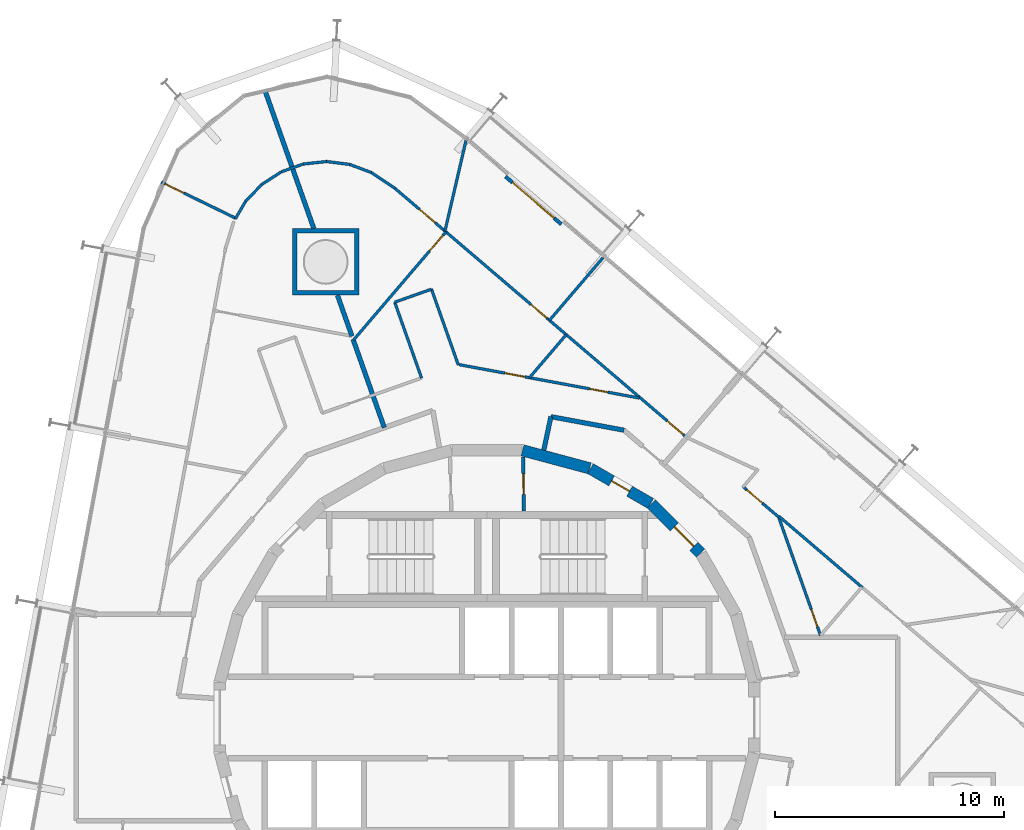
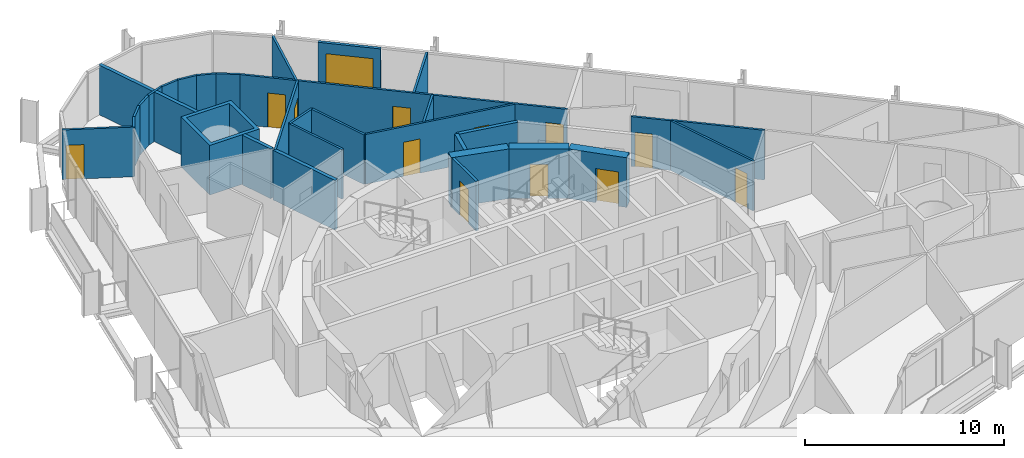
# One storey, part 15 of 17: 32 walls, 13 doors, 13 openings.
"""IFC4 building model written with IfcOpenShell, lengths in metres."""

from ifc_helpers import new_model, si_unit, direction, frame, frame_2d, origin, place, context, subcontext, project, spatial, polyline, rectangle, outline, extrude, material, layer, layer_set, type_object, element, fill, save


model = new_model("IFC4")

# Units and contexts
model_context = context("Model", 3, precision=1e-05, world=origin(), true_north=direction((0.0, 1.0)))
body_context = subcontext(model_context, "Body", "Model", "MODEL_VIEW")
ifc_project = project(units=[si_unit("LENGTHUNIT", "METRE"), si_unit("AREAUNIT", "SQUARE_METRE"), si_unit("VOLUMEUNIT", "CUBIC_METRE"), si_unit("PLANEANGLEUNIT", "RADIAN"), si_unit("MASSUNIT", "GRAM", prefix="KILO")], contexts=[model_context])

# Site, building, storey
site_placement = place(None, origin())
site = spatial("IfcSite", under=ifc_project, at=site_placement, CompositionType="ELEMENT")
building_placement = place(site_placement, origin())
building = spatial("IfcBuilding", under=site, at=building_placement, Name="Spindle Arch Residences", CompositionType="ELEMENT")
storey_placement = place(building_placement, frame((0.0, 0.0, 179.699951171875)))
storey = spatial("IfcBuildingStorey", under=building, at=storey_placement, Name="L45", CompositionType="ELEMENT", Elevation=179.699951171875)

# Wall, opening, door
ifc_material_1 = material(Name="Concrete C50/60", Category="concrete")
ifc_layer_1 = layer(ifc_material_1, 0.5)
ifc_layer_set_1 = layer_set([ifc_layer_1], Name="Core outline wall 500")
wall_type_1 = type_object("IfcWallType", Name="Core outline wall 500", PredefinedType="SHEAR", material=ifc_layer_set_1)
wall_1_placement = place(storey_placement, frame((9.30810546875, 7.163818359375, 0.0), z_axis=(0.0, 0.0, 1.0), x_axis=(-0.707106781187, 0.707106781187, 0.0)))
wall_1 = element("IfcWall", 1, at=wall_1_placement, inside=storey, type_object=wall_type_1, Name="Core outline wall 9", PredefinedType="SHEAR", context=body_context, shape_type="SweptSolid", body=[
    extrude(rectangle(XDim=3.032470703125, YDim=0.5, at=frame_2d((1.51611328125, 0.0))), origin(), (0.0, 0.0, 1.0), 3.050048828125),
])
opening_1_placement = place(wall_1_placement, frame((0.416259765625, 0.0, 0.0)))
opening_1 = element("IfcOpeningElement", 2, at=opening_1_placement, cuts=wall_1, Name="Opening R4C0-AD01", PredefinedType="OPENING", context=body_context, shape_type="SweptSolid", body=[
    extrude(rectangle(XDim=1.199951171875, YDim=2.10009765625, at=frame_2d((0.60009765625, 1.050048828125))), frame((0.0, 0.260009765625, 0.0), z_axis=(0.0, -1.0, 0.0), x_axis=(1.0, 0.0, 0.0)), (0.0, 0.0, 1.0), 0.52001953125),
])
ifc_material_2 = material(Name="Steel, fire-resisting door", Category="steel")
door_type_1 = type_object("IfcDoorType", Name="Stair airlock door 1200x2100", OperationType="SINGLE_SWING_LEFT", PredefinedType="DOOR", material=ifc_material_2)
door_1_placement = place(opening_1_placement, origin())
door_1 = element("IfcDoor", 3, at=door_1_placement, inside=storey, type_object=door_type_1, Name="Stair airlock door R4C0-AD01", OperationType="SINGLE_SWING_RIGHT", OverallHeight=2.10009765625, OverallWidth=1.199951171875, PredefinedType="DOOR", context=body_context, shape_type="SweptSolid", body=[
    extrude(rectangle(XDim=1.199951171875, YDim=2.10009765625, at=frame_2d((0.60009765625, 1.050048828125))), frame((0.0, 0.02490234375, 0.0), z_axis=(0.0, -1.0, 0.0), x_axis=(1.0, 0.0, 0.0)), (0.0, 0.0, 1.0), 0.050048828125),
])
fill(opening_1, door_1)

wall_2_placement = place(storey_placement, frame((7.13671875, 9.32861328125, 0.0), z_axis=(0.0, 0.0, 1.0), x_axis=(-0.865975092491, 0.500087131594, 0.0)))
wall_2 = element("IfcWall", 4, at=wall_2_placement, inside=storey, type_object=wall_type_1, Name="Core outline wall 10", PredefinedType="SHEAR", context=body_context, shape_type="SweptSolid", body=[
    extrude(rectangle(XDim=3.03271484375, YDim=0.5, at=frame_2d((1.516357421875, 0.0))), origin(), (0.0, 0.0, 1.0), 3.050048828125),
])
opening_2_placement = place(wall_2_placement, frame((1.06640625, 0.0, 0.0)))
opening_2 = element("IfcOpeningElement", 5, at=opening_2_placement, cuts=wall_2, Name="Opening R4C0-WD09", PredefinedType="OPENING", context=body_context, shape_type="SweptSolid", body=[
    extrude(rectangle(XDim=0.89990234375, YDim=2.10009765625, at=frame_2d((0.449951171875, 1.050048828125))), frame((0.0, 0.260009765625, 0.0), z_axis=(0.0, -1.0, 0.0), x_axis=(1.0, 0.0, 0.0)), (0.0, 0.0, 1.0), 0.52001953125),
])
ifc_material_3 = material(Name="Steel, fire-resisting door", Category="steel")
door_type_2 = type_object("IfcDoorType", Name="Service room door 900x2100", OperationType="SINGLE_SWING_LEFT", PredefinedType="DOOR", material=ifc_material_3)
door_2_placement = place(opening_2_placement, origin())
door_2 = element("IfcDoor", 6, at=door_2_placement, inside=storey, type_object=door_type_2, Name="Service room door R4C0-WD09", OperationType="SINGLE_SWING_LEFT", OverallHeight=2.10009765625, OverallWidth=0.89990234375, PredefinedType="DOOR", context=body_context, shape_type="SweptSolid", body=[
    extrude(rectangle(XDim=0.89990234375, YDim=2.10009765625, at=frame_2d((0.449951171875, 1.050048828125))), frame((0.0, 0.02490234375, 0.0), z_axis=(0.0, -1.0, 0.0), x_axis=(1.0, 0.0, 0.0)), (0.0, 0.0, 1.0), 0.050048828125),
])
fill(opening_2, door_2)

# Walls
wall_3_placement = place(storey_placement, frame((4.479248046875, 10.858154296875, 0.0), z_axis=(0.0, 0.0, 1.0), x_axis=(-0.965948410781, 0.258734743916, 0.0)))
element("IfcWall", 7, at=wall_3_placement, inside=storey, type_object=wall_type_1, Name="Core outline wall 11", PredefinedType="SHEAR", context=body_context, shape_type="SweptSolid", body=[
    extrude(rectangle(XDim=3.03271484375, YDim=0.5, at=frame_2d((1.516357421875, 0.0))), origin(), (0.0, 0.0, 1.0), 3.050048828125),
])
ifc_material_4 = material(Name="Calcium silicate block, plastered")
ifc_layer_2 = layer(ifc_material_4, 0.199951171875)
ifc_layer_set_2 = layer_set([ifc_layer_2], Name="Corridor wall 200")
wall_type_2 = type_object("IfcWallType", Name="Corridor wall 200", PredefinedType="STANDARD", material=ifc_layer_set_2)
wall_4_placement = place(storey_placement, frame((5.972412109375, 12.521240234375, 0.0), z_axis=(0.0, 0.0, 1.0), x_axis=(-0.983243002308, 0.182299748799, 0.0)))
element("IfcWall", 8, at=wall_4_placement, inside=storey, type_object=wall_type_2, Name="Corridor wall R4C0-W005", PredefinedType="STANDARD", context=body_context, shape_type="SweptSolid", body=[
    extrude(rectangle(XDim=3.239501953125, YDim=0.199951171875, at=frame_2d((1.61962890625, 0.0))), origin(), (0.0, 0.0, 1.0), 3.050048828125),
])
wall_5_placement = place(storey_placement, frame((2.787109375, 13.11181640625, 0.0), z_axis=(0.0, 0.0, 1.0), x_axis=(-0.207941001029, -0.978141370197, 0.0)))
element("IfcWall", 9, at=wall_5_placement, inside=storey, type_object=wall_type_2, Name="Corridor wall R4C0-W006", PredefinedType="STANDARD", context=body_context, shape_type="SweptSolid", body=[
    extrude(rectangle(XDim=1.4912109375, YDim=0.199951171875, at=frame_2d((0.74560546875, 0.0))), origin(), (0.0, 0.0, 1.0), 3.050048828125),
])

# Wall, opening, door
ifc_material_5 = material(Name="Plasterboard on steel studs", Category="steel")
ifc_layer_3 = layer(ifc_material_5, 0.1201171875)
ifc_layer_set_3 = layer_set([ifc_layer_3], Name="Flat partition 120")
wall_type_3 = type_object("IfcWallType", Name="Flat partition 120", PredefinedType="PARTITIONING", material=ifc_layer_set_3)
wall_6_placement = place(storey_placement, frame((14.540771484375, 3.57470703125, 0.0), z_axis=(0.0, 0.0, 1.0), x_axis=(-0.333799280318, 0.942644174893, 0.0)))
wall_6 = element("IfcWall", 10, at=wall_6_placement, inside=storey, type_object=wall_type_3, Name="Flat partition R4C0-W037", PredefinedType="PARTITIONING", context=body_context, shape_type="SweptSolid", body=[
    extrude(rectangle(XDim=5.476806640625, YDim=0.1201171875, at=frame_2d((2.73828125, 0.0))), origin(), (0.0, 0.0, 1.0), 3.050048828125),
])
opening_3_placement = place(wall_6_placement, frame((0.39990234375, 0.0, 0.0)))
opening_3 = element("IfcOpeningElement", 11, at=opening_3_placement, cuts=wall_6, Name="Opening R4C0-BD01", PredefinedType="OPENING", context=body_context, shape_type="SweptSolid", body=[
    extrude(rectangle(XDim=0.800048828125, YDim=2.10009765625, at=frame_2d((0.39990234375, 1.050048828125))), frame((0.0, 0.070068359375, 0.0), z_axis=(0.0, -1.0, 0.0), x_axis=(1.0, 0.0, 0.0)), (0.0, 0.0, 1.0), 0.14013671875),
])
ifc_material_6 = material(Name="Timber door set", Category="wood")
door_type_3 = type_object("IfcDoorType", Name="Bathroom door 800x2100", OperationType="NOTDEFINED", PredefinedType="DOOR", material=ifc_material_6)
door_3_placement = place(opening_3_placement, origin())
door_3 = element("IfcDoor", 12, at=door_3_placement, inside=storey, type_object=door_type_3, Name="Bathroom door R4C0-BD01", OperationType="SINGLE_SWING_LEFT", OverallHeight=2.10009765625, OverallWidth=0.800048828125, PredefinedType="DOOR", context=body_context, shape_type="SweptSolid", body=[
    extrude(rectangle(XDim=0.800048828125, YDim=2.10009765625, at=frame_2d((0.39990234375, 1.050048828125))), frame((0.0, 0.02490234375, 0.0), z_axis=(0.0, -1.0, 0.0), x_axis=(1.0, 0.0, 0.0)), (0.0, 0.0, 1.0), 0.050048828125),
])
fill(opening_3, door_3)

wall_7_placement = place(storey_placement, frame((12.712646484375, 8.7373046875, 0.0), z_axis=(0.0, 0.0, 1.0), x_axis=(-0.760410825807, 0.649442357716, 0.0)))
wall_7 = element("IfcWall", 13, at=wall_7_placement, inside=storey, type_object=wall_type_3, Name="Flat partition R4C0-W038", PredefinedType="PARTITIONING", context=body_context, shape_type="SweptSolid", body=[
    extrude(rectangle(XDim=2.028564453125, YDim=0.1201171875, at=frame_2d((1.01416015625, 0.0))), origin(), (0.0, 0.0, 1.0), 3.050048828125),
])
opening_4_placement = place(wall_7_placement, frame((0.9287109375, 0.0, 0.0)))
opening_4 = element("IfcOpeningElement", 14, at=opening_4_placement, cuts=wall_7, Name="Opening R4C0-ID01", PredefinedType="OPENING", context=body_context, shape_type="SweptSolid", body=[
    extrude(rectangle(XDim=0.89990234375, YDim=2.10009765625, at=frame_2d((0.449951171875, 1.050048828125))), frame((0.0, 0.070068359375, 0.0), z_axis=(0.0, -1.0, 0.0), x_axis=(1.0, 0.0, 0.0)), (0.0, 0.0, 1.0), 0.14013671875),
])
ifc_material_7 = material(Name="Timber door set", Category="wood")
door_type_4 = type_object("IfcDoorType", Name="Room door 900x2100", OperationType="NOTDEFINED", PredefinedType="DOOR", material=ifc_material_7)
door_4_placement = place(opening_4_placement, origin())
door_4 = element("IfcDoor", 15, at=door_4_placement, inside=storey, type_object=door_type_4, Name="Room door R4C0-ID01", OperationType="SINGLE_SWING_LEFT", OverallHeight=2.10009765625, OverallWidth=0.89990234375, PredefinedType="DOOR", context=body_context, shape_type="SweptSolid", body=[
    extrude(rectangle(XDim=0.89990234375, YDim=2.10009765625, at=frame_2d((0.449951171875, 1.050048828125))), frame((0.0, 0.02490234375, 0.0), z_axis=(0.0, -1.0, 0.0), x_axis=(1.0, 0.0, 0.0)), (0.0, 0.0, 1.0), 0.050048828125),
])
fill(opening_4, door_4)

# Wall
wall_8_placement = place(storey_placement, frame((12.734130859375, 8.76220703125, 0.0), z_axis=(0.0, 0.0, 1.0), x_axis=(0.760390484255, -0.649466174219, 0.0)))
element("IfcWall", 16, at=wall_8_placement, inside=storey, type_object=wall_type_3, Name="Flat partition R4C0-W039", PredefinedType="PARTITIONING", context=body_context, shape_type="SweptSolid", body=[
    extrude(rectangle(XDim=4.78271484375, YDim=0.1201171875, at=frame_2d((2.391357421875, 0.0))), origin(), (0.0, 0.0, 1.0), 3.050048828125),
])

# Wall, openings, doors
wall_9_placement = place(storey_placement, frame((8.701904296875, 12.205810546875, 0.0), z_axis=(0.0, 0.0, 1.0), x_axis=(-0.760401313718, 0.649453494945, 0.0)))
wall_9 = element("IfcWall", 17, at=wall_9_placement, inside=storey, type_object=wall_type_3, Name="Flat partition R4C0-W052", PredefinedType="PARTITIONING", context=body_context, shape_type="SweptSolid", body=[
    extrude(rectangle(XDim=16.723876953125, YDim=0.1201171875, at=frame_2d((8.36181640625, 0.0))), origin(), (0.0, 0.0, 1.0), 3.050048828125),
])
opening_5_placement = place(wall_9_placement, frame((0.199951171875, 0.0, 0.0)))
opening_5 = element("IfcOpeningElement", 18, at=opening_5_placement, cuts=wall_9, Name="Opening R4C0-ID06", PredefinedType="OPENING", context=body_context, shape_type="SweptSolid", body=[
    extrude(rectangle(XDim=0.89990234375, YDim=2.10009765625, at=frame_2d((0.449951171875, 1.050048828125))), frame((0.0, 0.070068359375, 0.0), z_axis=(0.0, -1.0, 0.0), x_axis=(1.0, 0.0, 0.0)), (0.0, 0.0, 1.0), 0.14013671875),
])
opening_6_placement = place(wall_9_placement, frame((8.02001953125, 0.0, 0.0)))
opening_6 = element("IfcOpeningElement", 19, at=opening_6_placement, cuts=wall_9, Name="Opening R4C0-ID08", PredefinedType="OPENING", context=body_context, shape_type="SweptSolid", body=[
    extrude(rectangle(XDim=0.89990234375, YDim=2.10009765625, at=frame_2d((0.449951171875, 1.050048828125))), frame((0.0, 0.070068359375, 0.0), z_axis=(0.0, -1.0, 0.0), x_axis=(1.0, 0.0, 0.0)), (0.0, 0.0, 1.0), 0.14013671875),
])
opening_7_placement = place(wall_9_placement, frame((14.41162109375, 0.0, 0.0)))
opening_7 = element("IfcOpeningElement", 20, at=opening_7_placement, cuts=wall_9, Name="Opening R4C0-ID10", PredefinedType="OPENING", context=body_context, shape_type="SweptSolid", body=[
    extrude(rectangle(XDim=0.89990234375, YDim=2.10009765625, at=frame_2d((0.449951171875, 1.050048828125))), frame((0.0, 0.070068359375, 0.0), z_axis=(0.0, -1.0, 0.0), x_axis=(1.0, 0.0, 0.0)), (0.0, 0.0, 1.0), 0.14013671875),
])
door_5_placement = place(opening_5_placement, origin())
door_5 = element("IfcDoor", 21, at=door_5_placement, inside=storey, type_object=door_type_4, Name="Room door R4C0-ID06", OperationType="SINGLE_SWING_RIGHT", OverallHeight=2.10009765625, OverallWidth=0.89990234375, PredefinedType="DOOR", context=body_context, shape_type="SweptSolid", body=[
    extrude(rectangle(XDim=0.89990234375, YDim=2.10009765625, at=frame_2d((0.449951171875, 1.050048828125))), frame((0.0, 0.02490234375, 0.0), z_axis=(0.0, -1.0, 0.0), x_axis=(1.0, 0.0, 0.0)), (0.0, 0.0, 1.0), 0.050048828125),
])
fill(opening_5, door_5)
door_6_placement = place(opening_6_placement, origin())
door_6 = element("IfcDoor", 22, at=door_6_placement, inside=storey, type_object=door_type_4, Name="Room door R4C0-ID08", OperationType="SINGLE_SWING_RIGHT", OverallHeight=2.10009765625, OverallWidth=0.89990234375, PredefinedType="DOOR", context=body_context, shape_type="SweptSolid", body=[
    extrude(rectangle(XDim=0.89990234375, YDim=2.10009765625, at=frame_2d((0.449951171875, 1.050048828125))), frame((0.0, 0.02490234375, 0.0), z_axis=(0.0, -1.0, 0.0), x_axis=(1.0, 0.0, 0.0)), (0.0, 0.0, 1.0), 0.050048828125),
])
fill(opening_6, door_6)
door_7_placement = place(opening_7_placement, origin())
door_7 = element("IfcDoor", 23, at=door_7_placement, inside=storey, type_object=door_type_4, Name="Room door R4C0-ID10", OperationType="SINGLE_SWING_RIGHT", OverallHeight=2.10009765625, OverallWidth=0.89990234375, PredefinedType="DOOR", context=body_context, shape_type="SweptSolid", body=[
    extrude(rectangle(XDim=0.89990234375, YDim=2.10009765625, at=frame_2d((0.449951171875, 1.050048828125))), frame((0.0, 0.02490234375, 0.0), z_axis=(0.0, -1.0, 0.0), x_axis=(1.0, 0.0, 0.0)), (0.0, 0.0, 1.0), 0.050048828125),
])
fill(opening_7, door_7)

wall_10_placement = place(storey_placement, frame((6.640869140625, 13.9228515625, 0.0), z_axis=(0.0, 0.0, 1.0), x_axis=(-0.983250157272, 0.182261153912, 0.0)))
wall_10 = element("IfcWall", 24, at=wall_10_placement, inside=storey, type_object=wall_type_3, Name="Flat partition R4C0-W053", PredefinedType="PARTITIONING", context=body_context, shape_type="SweptSolid", body=[
    extrude(rectangle(XDim=7.98486328125, YDim=0.1201171875, at=frame_2d((3.992431640625, 0.0))), origin(), (0.0, 0.0, 1.0), 3.050048828125),
])
opening_8_placement = place(wall_10_placement, frame((1.39990234375, 0.0, 0.0)))
opening_8 = element("IfcOpeningElement", 25, at=opening_8_placement, cuts=wall_10, Name="Opening R4C0-BD02", PredefinedType="OPENING", context=body_context, shape_type="SweptSolid", body=[
    extrude(rectangle(XDim=0.800048828125, YDim=2.10009765625, at=frame_2d((0.39990234375, 1.050048828125))), frame((0.0, 0.070068359375, 0.0), z_axis=(0.0, -1.0, 0.0), x_axis=(1.0, 0.0, 0.0)), (0.0, 0.0, 1.0), 0.14013671875),
])
opening_9_placement = place(wall_10_placement, frame((5.06884765625, 0.0, 0.0)))
opening_9 = element("IfcOpeningElement", 26, at=opening_9_placement, cuts=wall_10, Name="Opening R4C0-ID07", PredefinedType="OPENING", context=body_context, shape_type="SweptSolid", body=[
    extrude(rectangle(XDim=0.89990234375, YDim=2.10009765625, at=frame_2d((0.449951171875, 1.050048828125))), frame((0.0, 0.070068359375, 0.0), z_axis=(0.0, -1.0, 0.0), x_axis=(1.0, 0.0, 0.0)), (0.0, 0.0, 1.0), 0.14013671875),
])
door_8_placement = place(opening_8_placement, origin())
door_8 = element("IfcDoor", 27, at=door_8_placement, inside=storey, type_object=door_type_3, Name="Bathroom door R4C0-BD02", OperationType="SINGLE_SWING_RIGHT", OverallHeight=2.10009765625, OverallWidth=0.800048828125, PredefinedType="DOOR", context=body_context, shape_type="SweptSolid", body=[
    extrude(rectangle(XDim=0.800048828125, YDim=2.10009765625, at=frame_2d((0.39990234375, 1.050048828125))), frame((0.0, 0.02490234375, 0.0), z_axis=(0.0, -1.0, 0.0), x_axis=(1.0, 0.0, 0.0)), (0.0, 0.0, 1.0), 0.050048828125),
])
fill(opening_8, door_8)
door_9_placement = place(opening_9_placement, origin())
door_9 = element("IfcDoor", 28, at=door_9_placement, inside=storey, type_object=door_type_4, Name="Room door R4C0-ID07", OperationType="SINGLE_SWING_RIGHT", OverallHeight=2.10009765625, OverallWidth=0.89990234375, PredefinedType="DOOR", context=body_context, shape_type="SweptSolid", body=[
    extrude(rectangle(XDim=0.89990234375, YDim=2.10009765625, at=frame_2d((0.449951171875, 1.050048828125))), frame((0.0, 0.02490234375, 0.0), z_axis=(0.0, -1.0, 0.0), x_axis=(1.0, 0.0, 0.0)), (0.0, 0.0, 1.0), 0.050048828125),
])
fill(opening_9, door_9)

# Walls
wall_11_placement = place(storey_placement, frame((-1.2490234375, 15.3642578125, 0.0), z_axis=(0.0, 0.0, 1.0), x_axis=(-0.333811035895, 0.942640012048, 0.0)))
element("IfcWall", 29, at=wall_11_placement, inside=storey, type_object=wall_type_3, Name="Flat partition R4C0-W054", PredefinedType="PARTITIONING", context=body_context, shape_type="SweptSolid", body=[
    extrude(rectangle(XDim=3.504638671875, YDim=0.1201171875, at=frame_2d((1.75244140625, 0.0))), origin(), (0.0, 0.0, 1.0), 3.050048828125),
])
wall_12_placement = place(storey_placement, frame((-2.4189453125, 18.66796875, 0.0), z_axis=(0.0, 0.0, 1.0), x_axis=(-0.942661115325, -0.333751436931, 0.0)))
element("IfcWall", 30, at=wall_12_placement, inside=storey, type_object=wall_type_3, Name="Flat partition R4C0-W055", PredefinedType="PARTITIONING", context=body_context, shape_type="SweptSolid", body=[
    extrude(rectangle(XDim=1.699951171875, YDim=0.1201171875, at=frame_2d((0.85009765625, 0.0))), origin(), (0.0, 0.0, 1.0), 3.050048828125),
])
wall_13_placement = place(storey_placement, frame((-4.021484375, 18.1005859375, 0.0), z_axis=(0.0, 0.0, 1.0), x_axis=(0.333811035895, -0.942640012048, 0.0)))
element("IfcWall", 31, at=wall_13_placement, inside=storey, type_object=wall_type_3, Name="Flat partition R4C0-W056", PredefinedType="PARTITIONING", context=body_context, shape_type="SweptSolid", body=[
    extrude(rectangle(XDim=3.504638671875, YDim=0.1201171875, at=frame_2d((1.75244140625, 0.0))), origin(), (0.0, 0.0, 1.0), 3.050048828125),
])
wall_14_placement = place(storey_placement, frame((5.063232421875, 20.048095703125, 0.0), z_axis=(0.0, 0.0, 1.0), x_axis=(-0.649455626815, -0.760399492897, 0.0)))
element("IfcWall", 32, at=wall_14_placement, inside=storey, type_object=wall_type_3, Name="Flat partition R4C0-W058", PredefinedType="PARTITIONING", context=body_context, shape_type="SweptSolid", body=[
    extrude(rectangle(XDim=3.60009765625, YDim=0.1201171875, at=frame_2d((1.800048828125, 0.0))), origin(), (0.0, 0.0, 1.0), 3.050048828125),
])
wall_15_placement = place(storey_placement, frame((3.455810546875, 16.686279296875, 0.0), z_axis=(0.0, 0.0, 1.0), x_axis=(-0.649462010463, -0.760394040591, 0.0)))
element("IfcWall", 33, at=wall_15_placement, inside=storey, type_object=wall_type_3, Name="Flat partition R4C0-W059", PredefinedType="PARTITIONING", context=body_context, shape_type="SweptSolid", body=[
    extrude(rectangle(XDim=2.467041015625, YDim=0.1201171875, at=frame_2d((1.2333984375, 0.0))), origin(), (0.0, 0.0, 1.0), 3.050048828125),
])
wall_16_placement = place(storey_placement, frame((-0.913818359375, 25.152587890625, 0.0), z_axis=(0.0, 0.0, 1.0), x_axis=(-0.226085850586, -0.974107380202, 0.0)))
element("IfcWall", 34, at=wall_16_placement, inside=storey, type_object=wall_type_3, Name="Flat partition R4C0-W060", PredefinedType="PARTITIONING", context=body_context, shape_type="SweptSolid", body=[
    extrude(rectangle(XDim=4.055908203125, YDim=0.1201171875, at=frame_2d((2.02783203125, 0.0))), origin(), (0.0, 0.0, 1.0), 3.050048828125),
])

# Wall, opening, door
wall_17_placement = place(storey_placement, frame((-1.790283203125, 21.1669921875, 0.0), z_axis=(0.0, 0.0, 1.0), x_axis=(-0.649456490412, -0.7603987553, 0.0)))
wall_17 = element("IfcWall", 35, at=wall_17_placement, inside=storey, type_object=wall_type_3, Name="Flat partition R4C0-W061", PredefinedType="PARTITIONING", context=body_context, shape_type="SweptSolid", body=[
    extrude(rectangle(XDim=6.210205078125, YDim=0.1201171875, at=frame_2d((3.10498046875, 0.0))), origin(), (0.0, 0.0, 1.0), 3.050048828125),
])
opening_10_placement = place(wall_17_placement, frame((0.199951171875, 0.0, 0.0)))
opening_10 = element("IfcOpeningElement", 36, at=opening_10_placement, cuts=wall_17, Name="Opening R4C0-ID09", PredefinedType="OPENING", context=body_context, shape_type="SweptSolid", body=[
    extrude(rectangle(XDim=0.89990234375, YDim=2.10009765625, at=frame_2d((0.449951171875, 1.050048828125))), frame((0.0, 0.070068359375, 0.0), z_axis=(0.0, -1.0, 0.0), x_axis=(1.0, 0.0, 0.0)), (0.0, 0.0, 1.0), 0.14013671875),
])
door_10_placement = place(opening_10_placement, origin())
door_10 = element("IfcDoor", 37, at=door_10_placement, inside=storey, type_object=door_type_4, Name="Room door R4C0-ID09", OperationType="SINGLE_SWING_RIGHT", OverallHeight=2.10009765625, OverallWidth=0.89990234375, PredefinedType="DOOR", context=body_context, shape_type="SweptSolid", body=[
    extrude(rectangle(XDim=0.89990234375, YDim=2.10009765625, at=frame_2d((0.449951171875, 1.050048828125))), frame((0.0, 0.02490234375, 0.0), z_axis=(0.0, -1.0, 0.0), x_axis=(1.0, 0.0, 0.0)), (0.0, 0.0, 1.0), 0.050048828125),
])
fill(opening_10, door_10)

# Walls
wall_18_placement = place(storey_placement, frame((-8.96142578125, 23.78466796875, 0.0), z_axis=(0.0, 0.0, 1.0), x_axis=(0.942630376568, 0.333838244022, 0.0)))
element("IfcWall", 38, at=wall_18_placement, inside=storey, type_object=wall_type_3, Name="Flat partition R4C0-W062", PredefinedType="PARTITIONING", context=body_context, shape_type="SweptSolid", body=[
    extrude(rectangle(XDim=1.015869140625, YDim=0.1201171875, at=frame_2d((0.5078125, 0.0))), origin(), (0.0, 0.0, 1.0), 3.050048828125),
])
wall_19_placement = place(storey_placement, frame((-8.00390625, 24.123779296875, 0.0), z_axis=(0.0, 0.0, 1.0), x_axis=(0.994216064839, 0.107398400431, 0.0)))
element("IfcWall", 39, at=wall_19_placement, inside=storey, type_object=wall_type_3, Name="Flat partition R4C0-W063", PredefinedType="PARTITIONING", context=body_context, shape_type="SweptSolid", body=[
    extrude(rectangle(XDim=1.01611328125, YDim=0.1201171875, at=frame_2d((0.508056640625, 0.0))), origin(), (0.0, 0.0, 1.0), 3.050048828125),
])
wall_20_placement = place(storey_placement, frame((-6.99365234375, 24.23291015625, 0.0), z_axis=(0.0, 0.0, 1.0), x_axis=(0.992188875952, -0.124744676991, 0.0)))
element("IfcWall", 40, at=wall_20_placement, inside=storey, type_object=wall_type_3, Name="Flat partition R4C0-W064", PredefinedType="PARTITIONING", context=body_context, shape_type="SweptSolid", body=[
    extrude(rectangle(XDim=1.015625, YDim=0.1201171875, at=frame_2d((0.5078125, 0.0))), origin(), (0.0, 0.0, 1.0), 3.050048828125),
])
wall_21_placement = place(storey_placement, frame((-5.98583984375, 24.106201171875, 0.0), z_axis=(0.0, 0.0, 1.0), x_axis=(0.936625084254, -0.350333343469, 0.0)))
element("IfcWall", 41, at=wall_21_placement, inside=storey, type_object=wall_type_3, Name="Flat partition R4C0-W065", PredefinedType="PARTITIONING", context=body_context, shape_type="SweptSolid", body=[
    extrude(rectangle(XDim=1.01611328125, YDim=0.1201171875, at=frame_2d((0.508056640625, 0.0))), origin(), (0.0, 0.0, 1.0), 3.050048828125),
])
wall_22_placement = place(storey_placement, frame((-5.0341796875, 23.750244140625, 0.0), z_axis=(0.0, 0.0, 1.0), x_axis=(0.83070096574, -0.556718874764, 0.0)))
element("IfcWall", 42, at=wall_22_placement, inside=storey, type_object=wall_type_3, Name="Flat partition R4C0-W066", PredefinedType="PARTITIONING", context=body_context, shape_type="SweptSolid", body=[
    extrude(rectangle(XDim=1.22705078125, YDim=0.1201171875, at=frame_2d((0.613525390625, 0.0))), origin(), (0.0, 0.0, 1.0), 3.050048828125),
])
wall_23_placement = place(storey_placement, frame((-10.973876953125, 21.728271484375, 0.0), z_axis=(0.0, 0.0, 1.0), x_axis=(0.507353148194, 0.861738233466, 0.0)))
element("IfcWall", 43, at=wall_23_placement, inside=storey, type_object=wall_type_3, Name="Flat partition R4C0-W073", PredefinedType="PARTITIONING", context=body_context, shape_type="SweptSolid", body=[
    extrude(rectangle(XDim=0.89697265625, YDim=0.1201171875, at=frame_2d((0.448486328125, 0.0))), origin(), (0.0, 0.0, 1.0), 3.050048828125),
])
wall_24_placement = place(storey_placement, frame((-10.518798828125, 22.501220703125, 0.0), z_axis=(0.0, 0.0, 1.0), x_axis=(0.69266189308, 0.721262436201, 0.0)))
element("IfcWall", 44, at=wall_24_placement, inside=storey, type_object=wall_type_3, Name="Flat partition R4C0-W074", PredefinedType="PARTITIONING", context=body_context, shape_type="SweptSolid", body=[
    extrude(rectangle(XDim=1.015869140625, YDim=0.1201171875, at=frame_2d((0.5078125, 0.0))), origin(), (0.0, 0.0, 1.0), 3.050048828125),
])
wall_25_placement = place(storey_placement, frame((-9.815185546875, 23.23388671875, 0.0), z_axis=(0.0, 0.0, 1.0), x_axis=(0.840310772539, 0.542104976508, 0.0)))
element("IfcWall", 45, at=wall_25_placement, inside=storey, type_object=wall_type_3, Name="Flat partition R4C0-W075", PredefinedType="PARTITIONING", context=body_context, shape_type="SweptSolid", body=[
    extrude(rectangle(XDim=1.01611328125, YDim=0.1201171875, at=frame_2d((0.508056640625, 0.0))), origin(), (0.0, 0.0, 1.0), 3.050048828125),
])

# Wall, opening, door
wall_26_placement = place(storey_placement, frame((-14.201904296875, 23.3408203125, 0.0), z_axis=(0.0, 0.0, 1.0), x_axis=(0.899466404534, -0.436989916491, 0.0)))
wall_26 = element("IfcWall", 46, at=wall_26_placement, inside=storey, type_object=wall_type_3, Name="Flat partition R4C0-W076", PredefinedType="PARTITIONING", context=body_context, shape_type="SweptSolid", body=[
    extrude(rectangle(XDim=3.611328125, YDim=0.1201171875, at=frame_2d((1.8056640625, 0.0))), origin(), (0.0, 0.0, 1.0), 3.050048828125),
])
opening_11_placement = place(wall_26_placement, frame((0.199951171875, 0.0, 0.0)))
opening_11 = element("IfcOpeningElement", 47, at=opening_11_placement, cuts=wall_26, Name="Opening R4C0-ID15", PredefinedType="OPENING", context=body_context, shape_type="SweptSolid", body=[
    extrude(rectangle(XDim=0.89990234375, YDim=2.10009765625, at=frame_2d((0.449951171875, 1.050048828125))), frame((0.0, 0.070068359375, 0.0), z_axis=(0.0, -1.0, 0.0), x_axis=(1.0, 0.0, 0.0)), (0.0, 0.0, 1.0), 0.14013671875),
])
door_11_placement = place(opening_11_placement, origin())
door_11 = element("IfcDoor", 48, at=door_11_placement, inside=storey, type_object=door_type_4, Name="Room door R4C0-ID15", OperationType="SINGLE_SWING_LEFT", OverallHeight=2.10009765625, OverallWidth=0.89990234375, PredefinedType="DOOR", context=body_context, shape_type="SweptSolid", body=[
    extrude(rectangle(XDim=0.89990234375, YDim=2.10009765625, at=frame_2d((0.449951171875, 1.050048828125))), frame((0.0, 0.02490234375, 0.0), z_axis=(0.0, -1.0, 0.0), x_axis=(1.0, 0.0, 0.0)), (0.0, 0.0, 1.0), 0.050048828125),
])
fill(opening_11, door_11)

# Walls
ifc_material_8 = material(Name="Calcium silicate block, plastered")
ifc_layer_4 = layer(ifc_material_8, 0.199951171875)
ifc_layer_set_4 = layer_set([ifc_layer_4], Name="Flat party wall 200")
wall_type_4 = type_object("IfcWallType", Name="Flat party wall 200", PredefinedType="STANDARD", material=ifc_layer_set_4)
wall_27_placement = place(storey_placement, frame((-5.8388671875, 16.48828125, 0.0), z_axis=(0.0, 0.0, 1.0), x_axis=(0.333840515054, -0.942629572265, 0.0)))
element("IfcWall", 49, at=wall_27_placement, inside=storey, type_object=wall_type_4, Name="Flat party wall R4C0-W029", PredefinedType="STANDARD", context=body_context, shape_type="SweptSolid", body=[
    extrude(rectangle(XDim=4.091552734375, YDim=0.199951171875, at=frame_2d((2.0458984375, 0.0))), origin(), (0.0, 0.0, 1.0), 3.050048828125),
])
wall_28_placement = place(storey_placement, frame((-9.684326171875, 27.34765625, 0.0), z_axis=(0.0, 0.0, 1.0), x_axis=(0.333810465454, -0.942640214055, 0.0)))
element("IfcWall", 50, at=wall_28_placement, inside=storey, type_object=wall_type_4, Name="Flat party wall R4C0-W030", PredefinedType="STANDARD", context=body_context, shape_type="SweptSolid", body=[
    extrude(rectangle(XDim=6.407470703125, YDim=0.199951171875, at=frame_2d((3.20361328125, 0.0))), origin(), (0.0, 0.0, 1.0), 3.050048828125),
])
wall_29_placement = place(storey_placement, frame((-6.518310546875, 18.40771484375, 0.0), z_axis=(0.0, 0.0, 1.0), x_axis=(0.333725210903, -0.942670400303, 0.0)))
element("IfcWall", 51, at=wall_29_placement, inside=storey, type_object=wall_type_4, Name="Flat party wall R4C0-W031", PredefinedType="STANDARD", context=body_context, shape_type="SweptSolid", body=[
    extrude(rectangle(XDim=1.890380859375, YDim=0.199951171875, at=frame_2d((0.9453125, 0.0))), origin(), (0.0, 0.0, 1.0), 3.050048828125),
])

# Wall, opening, door
ifc_material_9 = material(Name="Non-combustible mineral wool insulated aluminium faced external wall (K0)", Category="aluminium")
ifc_layer_5 = layer(ifc_material_9, 0.159912109375)
ifc_layer_set_5 = layer_set([ifc_layer_5], Name="Insulated external wall panel 160")
wall_type_5 = type_object("IfcWallType", Name="Insulated external wall panel 160", PredefinedType="STANDARD", material=ifc_layer_set_5)
wall_30_placement = place(storey_placement, frame((3.239501953125, 21.50048828125, 0.0), z_axis=(0.0, 0.0, 1.0), x_axis=(-0.760429407868, 0.649420599957, 0.0)))
wall_30 = element("IfcWall", 52, at=wall_30_placement, inside=storey, type_object=wall_type_5, Name="External wall L45 bay 9", PredefinedType="STANDARD", context=body_context, shape_type="SweptSolid", body=[
    extrude(rectangle(XDim=3.199951171875, YDim=0.159912109375, at=frame_2d((1.60009765625, 0.0))), origin(), (0.0, 0.0, 1.0), 3.050048828125),
])
opening_12_placement = place(wall_30_placement, frame((0.39990234375, 0.0, 0.0)))
opening_12 = element("IfcOpeningElement", 53, at=opening_12_placement, cuts=wall_30, Name="Opening BD09", PredefinedType="OPENING", context=body_context, shape_type="SweptSolid", body=[
    extrude(rectangle(XDim=2.39990234375, YDim=2.39990234375, at=frame_2d((1.199951171875, 1.199951171875))), frame((0.0, 0.08984375, 0.0), z_axis=(0.0, -1.0, 0.0), x_axis=(1.0, 0.0, 0.0)), (0.0, 0.0, 1.0), 0.179931640625),
])
ifc_material_10 = material(Name="Bronze aluminium frame, tinted double glazing", Category="aluminium")
door_type_5 = type_object("IfcDoorType", Name="Sliding glazed balcony door 2400x2400", OperationType="DOUBLE_DOOR_SLIDING", PredefinedType="DOOR", material=ifc_material_10)
door_12_placement = place(opening_12_placement, origin())
door_12 = element("IfcDoor", 54, at=door_12_placement, inside=storey, type_object=door_type_5, Name="Balcony door BD09", OperationType="DOUBLE_DOOR_SLIDING", OverallHeight=2.39990234375, OverallWidth=2.39990234375, PredefinedType="DOOR", context=body_context, shape_type="SweptSolid", body=[
    extrude(rectangle(XDim=2.39990234375, YDim=2.39990234375, at=frame_2d((1.199951171875, 1.199951171875))), frame((0.0, 0.02490234375, 0.0), z_axis=(0.0, -1.0, 0.0), x_axis=(1.0, 0.0, 0.0)), (0.0, 0.0, 1.0), 0.050048828125),
])
fill(opening_12, door_12)

# Wall
ifc_material_11 = material(Name="Calcium silicate block, plastered")
ifc_layer_6 = layer(ifc_material_11, 0.199951171875)
ifc_layer_set_6 = layer_set([ifc_layer_6], Name="Mega-column casing wall 200")
wall_type_6 = type_object("IfcWallType", Name="Mega-column casing wall 200", PredefinedType="STANDARD", material=ifc_layer_set_6)
wall_31_placement = place(storey_placement, origin())
element("IfcWall", 55, at=wall_31_placement, inside=storey, type_object=wall_type_6, Name="Mega-column casing wall R4C0-WC01", PredefinedType="STANDARD", context=body_context, shape_type="SweptSolid", body=[
    extrude(outline(polyline([(-5.581787109375, 21.3076171875), (-5.581787109375, 18.40771484375), (-8.48193359375, 18.40771484375), (-8.48193359375, 21.3076171875), (-5.581787109375, 21.3076171875)]), holes=[polyline([(-8.281982421875, 18.607666015625), (-5.781982421875, 18.607666015625), (-5.781982421875, 21.107666015625), (-8.281982421875, 21.107666015625), (-8.281982421875, 18.607666015625)])]), origin(), (0.0, 0.0, 1.0), 3.050048828125),
])

# Wall, opening, door
ifc_material_12 = material(Name="Concrete C25/30", Category="concrete")
ifc_layer_7 = layer(ifc_material_12, 0.14990234375)
ifc_layer_set_7 = layer_set([ifc_layer_7], Name="Service room partition 150")
wall_type_7 = type_object("IfcWallType", Name="Service room partition 150", PredefinedType="PARTITIONING", material=ifc_layer_set_7)
wall_32_placement = place(storey_placement, frame((1.585693359375, 11.3544921875, 0.0), z_axis=(0.0, 0.0, 1.0), x_axis=(0.007227482881, -0.999973881405, 0.0)))
wall_32 = element("IfcWall", 56, at=wall_32_placement, inside=storey, type_object=wall_type_7, Name="Core service room partition", PredefinedType="PARTITIONING", context=body_context, shape_type="SweptSolid", body=[
    extrude(rectangle(XDim=2.364501953125, YDim=0.14990234375, at=frame_2d((1.18212890625, 0.0))), origin(), (0.0, 0.0, 1.0), 3.050048828125),
])
opening_13_placement = place(wall_32_placement, frame((0.732177734375, 0.0, 0.0)))
opening_13 = element("IfcOpeningElement", 57, at=opening_13_placement, cuts=wall_32, Name="Opening R4C0-WD05", PredefinedType="OPENING", context=body_context, shape_type="SweptSolid", body=[
    extrude(rectangle(XDim=0.89990234375, YDim=2.10009765625, at=frame_2d((0.449951171875, 1.050048828125))), frame((0.0, 0.0849609375, 0.0), z_axis=(0.0, -1.0, 0.0), x_axis=(1.0, 0.0, 0.0)), (0.0, 0.0, 1.0), 0.169921875),
])
door_13_placement = place(opening_13_placement, origin())
door_13 = element("IfcDoor", 58, at=door_13_placement, inside=storey, type_object=door_type_2, Name="Service room door R4C0-WD05", OperationType="SINGLE_SWING_LEFT", OverallHeight=2.10009765625, OverallWidth=0.89990234375, PredefinedType="DOOR", context=body_context, shape_type="SweptSolid", body=[
    extrude(rectangle(XDim=0.89990234375, YDim=2.10009765625, at=frame_2d((0.449951171875, 1.050048828125))), frame((0.0, 0.02490234375, 0.0), z_axis=(0.0, -1.0, 0.0), x_axis=(1.0, 0.0, 0.0)), (0.0, 0.0, 1.0), 0.050048828125),
])
fill(opening_13, door_13)

save(model, "model.ifc")
